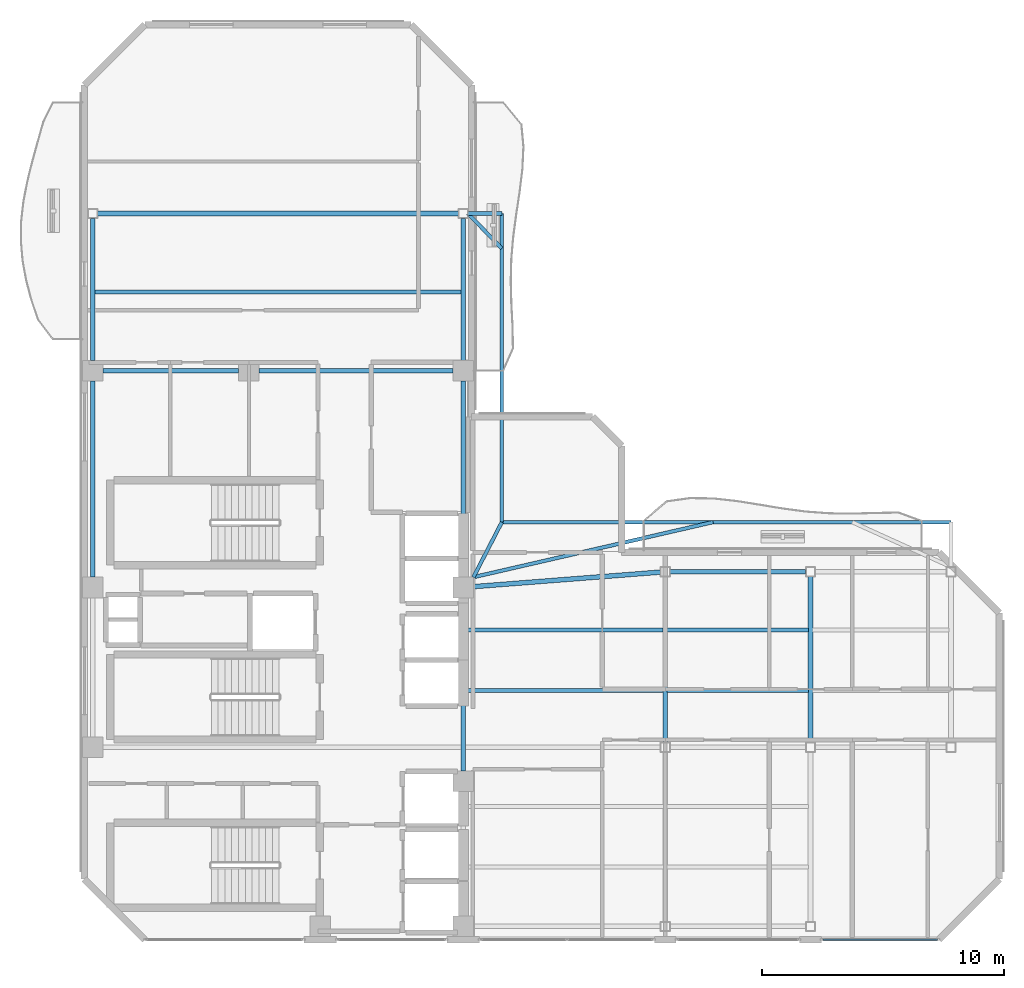
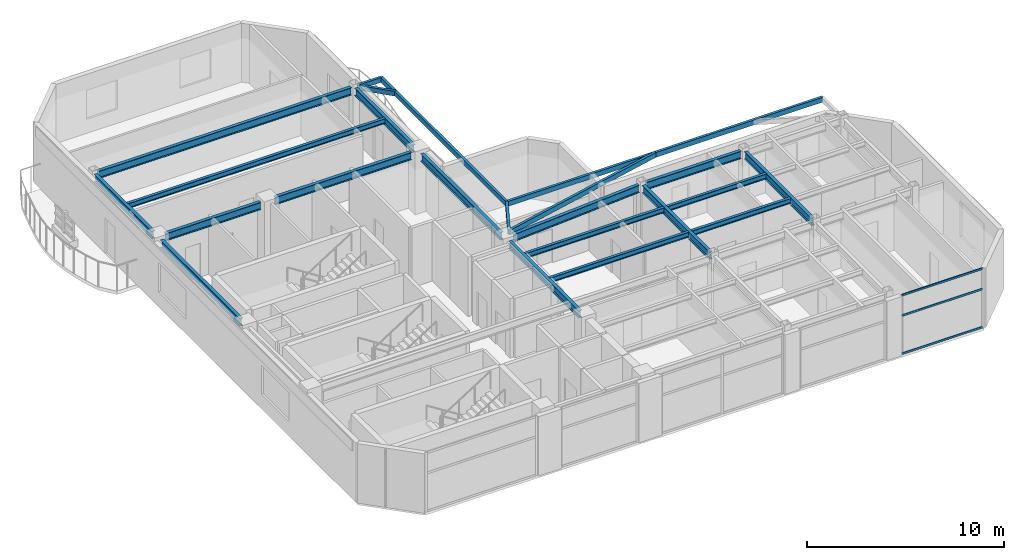
# One storey, part 6 of 15: 23 beams, 3 members, 1 element without a shape of its own.
"""IFC4 building model written with IfcOpenShell, lengths in metres."""

from ifc_helpers import new_model, si_unit, direction, frame, origin, origin_2d, place, context, subcontext, project, spatial, hollow_rectangle, i_section, extrude, material, layer, layer_set, material_profile, profile_set, type_object, element, aggregate, save


model = new_model("IFC4")

# Units and contexts
model_context = context("Model", 3, precision=1e-05, world=origin(), true_north=direction((0.0, 1.0)))
body_context = subcontext(model_context, "Body", "Model", "MODEL_VIEW")
ifc_project = project(units=[si_unit("LENGTHUNIT", "METRE"), si_unit("AREAUNIT", "SQUARE_METRE"), si_unit("VOLUMEUNIT", "CUBIC_METRE"), si_unit("PLANEANGLEUNIT", "RADIAN"), si_unit("MASSUNIT", "GRAM", prefix="KILO")], contexts=[model_context])

# Site, building, storey
site_placement = place(None, origin())
site = spatial("IfcSite", under=ifc_project, at=site_placement, CompositionType="ELEMENT")
building_placement = place(site_placement, origin())
building = spatial("IfcBuilding", under=site, at=building_placement, Name="Mawjaban Terraces University", CompositionType="ELEMENT")
storey_placement = place(building_placement, frame((0.0, 0.0, 279.39990234375)))
storey = spatial("IfcBuildingStorey", under=building, at=storey_placement, Name="L68", CompositionType="ELEMENT", Elevation=279.39990234375)

# Beams
ifc_material_1 = material(Name="Steel EN 10210-1 S355J2H", Category="steel")
ifc_material_profile_1 = material_profile(ifc_material_1, hollow_rectangle(XDim=0.14990234375, YDim=0.300048828125, WallThickness=0.012451171875, at=origin_2d()), Name="RHS300X150X12.5")
ifc_profile_set_1 = profile_set([ifc_material_profile_1], Name="Steel EN 10210-1 S355J2H")
beam_type_1 = type_object("IfcBeamType", Name="BalconyCantileverSpandrel_RHS", PredefinedType="SPANDREL", material=ifc_profile_set_1)
beam_1_placement = place(storey_placement, frame((38.074951171875, 14.97509765625, 3.5400390625), z_axis=(0.458922210771, 0.88847645127, 0.0), x_axis=(-0.88847645127, 0.458922210771, 0.0)))
element("IfcBeam", 1, at=beam_1_placement, inside=storey, type_object=beam_type_1, Name="L68 Corner Outrigger BAL-L69-N", PredefinedType="SPANDREL", context=body_context, shape_type="SweptSolid", body=[
    extrude(hollow_rectangle(XDim=0.14990234375, YDim=0.300048828125, WallThickness=0.012451171875, at=origin_2d()), origin(), (0.0, 0.0, 1.0), 2.560546875),
])
beam_2_placement = place(storey_placement, frame((39.25, 17.25, 3.5400390625), z_axis=(1.0, 0.0, 0.0), x_axis=(0.0, 1.0, 0.0)))
element("IfcBeam", 2, at=beam_2_placement, inside=storey, type_object=beam_type_1, Name="L68 Exterior Edge Spandrel BAL-L69-N", PredefinedType="SPANDREL", context=body_context, shape_type="SweptSolid", body=[
    extrude(hollow_rectangle(XDim=0.14990234375, YDim=0.300048828125, WallThickness=0.012451171875, at=origin_2d()), origin(), (0.0, 0.0, 1.0), 18.550048828125),
])
beam_3_placement = place(storey_placement, frame((38.074951171875, 14.97509765625, 3.5400390625), z_axis=(0.974600999447, 0.223948413426, 0.0), x_axis=(-0.223948413426, 0.974600999447, 0.0)))
element("IfcBeam", 3, at=beam_3_placement, inside=storey, type_object=beam_type_1, Name="L68 Exterior Diagonal Strut BAL-L69-N.1", PredefinedType="SPANDREL", context=body_context, shape_type="SweptSolid", body=[
    extrude(hollow_rectangle(XDim=0.14990234375, YDim=0.300048828125, WallThickness=0.012451171875, at=origin_2d()), origin(), (0.0, 0.0, 1.0), 10.158203125),
])
beam_4_placement = place(storey_placement, frame((37.85009765625, 30.0, 3.5400390625), z_axis=(1.0, 0.0, 0.0), x_axis=(0.0, 1.0, 0.0)))
element("IfcBeam", 4, at=beam_4_placement, inside=storey, type_object=beam_type_1, Name="L68 Exterior Outrigger BAL-L69-E.2", PredefinedType="SPANDREL", context=body_context, shape_type="SweptSolid", body=[
    extrude(hollow_rectangle(XDim=0.14990234375, YDim=0.300048828125, WallThickness=0.012451171875, at=origin_2d()), origin(), (0.0, 0.0, 1.0), 1.39990234375),
])
beam_5_placement = place(storey_placement, frame((39.25, 17.25, 3.5400390625), z_axis=(0.0, 1.0, 0.0), x_axis=(-1.0, 0.0, 0.0)))
element("IfcBeam", 5, at=beam_5_placement, inside=storey, type_object=beam_type_1, Name="L68 Exterior Edge Spandrel BAL-L69-E", PredefinedType="SPANDREL", context=body_context, shape_type="SweptSolid", body=[
    extrude(hollow_rectangle(XDim=0.14990234375, YDim=0.300048828125, WallThickness=0.012451171875, at=origin_2d()), origin(), (0.0, 0.0, 1.0), 12.75),
])
beam_6_placement = place(storey_placement, frame((37.85009765625, 30.0, 3.5400390625), z_axis=(0.694581542946, -0.719413983878, 0.0), x_axis=(0.719413983878, 0.694581542946, 0.0)))
element("IfcBeam", 6, at=beam_6_placement, inside=storey, type_object=beam_type_1, Name="L68 Exterior Diagonal Strut BAL-L69-E.1", PredefinedType="SPANDREL", context=body_context, shape_type="SweptSolid", body=[
    extrude(hollow_rectangle(XDim=0.14990234375, YDim=0.300048828125, WallThickness=0.012451171875, at=origin_2d()), origin(), (0.0, 0.0, 1.0), 2.015380859375),
])
ifc_material_2 = material(Name="Steel ASTM A572 Grade 50", Category="steel")
ifc_material_profile_2 = material_profile(ifc_material_2, i_section(OverallWidth=0.194091796875, OverallDepth=0.468994140625, WebThickness=0.011474609375, FlangeThickness=0.0205078125, at=origin_2d()), Name="W460X106")
ifc_profile_set_2 = profile_set([ifc_material_profile_2], Name="Steel ASTM A572 Grade 50")
beam_type_2 = type_object("IfcBeamType", Name="Beam_B_W460X106", PredefinedType="BEAM", material=ifc_profile_set_2)
for number, where, z_axis, x_axis, name in (
    (7, (46.199951171875, 15.199951171875, 3.455078125), (1.0, 0.0, 0.0), (0.0, 1.0, 0.0), "L68 Beam BM-L68-EW-06"),
    (8, (22.77490234375, 23.5, 3.455078125), (1.0, 0.0, 0.0), (0.0, 1.0, 0.0), "L68 Beam BM-L68-EW-08"),
):
    element("IfcBeam", number, at=place(storey_placement, frame(where, z_axis=z_axis, x_axis=x_axis)), inside=storey, type_object=beam_type_2, Name=name, PredefinedType="BEAM", context=body_context, shape_type="SweptSolid", body=[
        extrude(i_section(OverallWidth=0.194091796875, OverallDepth=0.468994140625, WebThickness=0.011474609375, FlangeThickness=0.0205078125, at=origin_2d()), origin(), (0.0, 0.0, 1.0), 5.60009765625),
    ])
beam_7_placement = place(storey_placement, frame((29.22509765625, 23.5, 3.455078125), z_axis=(1.0, 0.0, 0.0), x_axis=(0.0, 1.0, 0.0)))
element("IfcBeam", 9, at=beam_7_placement, inside=storey, type_object=beam_type_2, Name="L68 Beam BM-L68-EW-09", PredefinedType="BEAM", context=body_context, shape_type="SweptSolid", body=[
    extrude(i_section(OverallWidth=0.194091796875, OverallDepth=0.468994140625, WebThickness=0.011474609375, FlangeThickness=0.0205078125, at=origin_2d()), origin(), (0.0, 0.0, 1.0), 8.0),
])
beam_8_placement = place(storey_placement, frame((22.550048828125, 30.0, 3.455078125), z_axis=(1.0, 0.0, 0.0), x_axis=(0.0, 1.0, 0.0)))
element("IfcBeam", 10, at=beam_8_placement, inside=storey, type_object=beam_type_2, Name="L68 Beam BM-L68-EW-10", PredefinedType="BEAM", context=body_context, shape_type="SweptSolid", body=[
    extrude(i_section(OverallWidth=0.194091796875, OverallDepth=0.468994140625, WebThickness=0.011474609375, FlangeThickness=0.0205078125, at=origin_2d()), origin(), (0.0, 0.0, 1.0), 14.89990234375),
])
beam_9_placement = place(storey_placement, frame((22.35009765625, 14.97509765625, 3.455078125), z_axis=(0.0, 1.0, 0.0), x_axis=(-1.0, 0.0, 0.0)))
element("IfcBeam", 11, at=beam_9_placement, inside=storey, type_object=beam_type_2, Name="L68 Beam BM-L68-NS-02", PredefinedType="BEAM", context=body_context, shape_type="SweptSolid", body=[
    extrude(i_section(OverallWidth=0.194091796875, OverallDepth=0.468994140625, WebThickness=0.011474609375, FlangeThickness=0.0205078125, at=origin_2d()), origin(), (0.0, 0.0, 1.0), 8.099853515625),
])
beam_10_placement = place(storey_placement, frame((22.35009765625, 23.925048828125, 3.455078125), z_axis=(0.0, 1.0, 0.0), x_axis=(-1.0, 0.0, 0.0)))
element("IfcBeam", 12, at=beam_10_placement, inside=storey, type_object=beam_type_2, Name="L68 Beam BM-L68-NS-03", PredefinedType="BEAM", context=body_context, shape_type="SweptSolid", body=[
    extrude(i_section(OverallWidth=0.194091796875, OverallDepth=0.468994140625, WebThickness=0.011474609375, FlangeThickness=0.0205078125, at=origin_2d()), origin(), (0.0, 0.0, 1.0), 5.875),
])
beam_11_placement = place(storey_placement, frame((37.64990234375, 6.97509765625, 3.455078125), z_axis=(0.0, 1.0, 0.0), x_axis=(-1.0, 0.0, 0.0)))
element("IfcBeam", 13, at=beam_11_placement, inside=storey, type_object=beam_type_2, Name="L68 Beam BM-L68-NS-05", PredefinedType="BEAM", context=body_context, shape_type="SweptSolid", body=[
    extrude(i_section(OverallWidth=0.194091796875, OverallDepth=0.468994140625, WebThickness=0.011474609375, FlangeThickness=0.0205078125, at=origin_2d()), origin(), (0.0, 0.0, 1.0), 7.14990234375),
])
beam_12_placement = place(storey_placement, frame((37.64990234375, 14.97509765625, 3.455078125), z_axis=(0.0, 1.0, 0.0), x_axis=(-1.0, 0.0, 0.0)))
element("IfcBeam", 14, at=beam_12_placement, inside=storey, type_object=beam_type_2, Name="L68 Beam BM-L68-NS-06", PredefinedType="BEAM", context=body_context, shape_type="SweptSolid", body=[
    extrude(i_section(OverallWidth=0.194091796875, OverallDepth=0.468994140625, WebThickness=0.011474609375, FlangeThickness=0.0205078125, at=origin_2d()), origin(), (0.0, 0.0, 1.0), 8.099853515625),
])
beam_13_placement = place(storey_placement, frame((37.64990234375, 23.925048828125, 3.455078125), z_axis=(0.0, 1.0, 0.0), x_axis=(-1.0, 0.0, 0.0)))
element("IfcBeam", 15, at=beam_13_placement, inside=storey, type_object=beam_type_2, Name="L68 Beam BM-L68-NS-07", PredefinedType="BEAM", context=body_context, shape_type="SweptSolid", body=[
    extrude(i_section(OverallWidth=0.194091796875, OverallDepth=0.468994140625, WebThickness=0.011474609375, FlangeThickness=0.0205078125, at=origin_2d()), origin(), (0.0, 0.0, 1.0), 5.875),
])
for number, where, z_axis, x_axis, name in (
    (16, (46.0, 8.14990234375, 3.455078125), (0.0, 1.0, 0.0), (-1.0, 0.0, 0.0), "L68 Beam BM-L68-NS-09"),
    (17, (52.0, 8.14990234375, 3.455078125), (0.0, 1.0, 0.0), (-1.0, 0.0, 0.0), "L68 Beam BM-L68-NS-11"),
):
    element("IfcBeam", number, at=place(storey_placement, frame(where, z_axis=z_axis, x_axis=x_axis)), inside=storey, type_object=beam_type_2, Name=name, PredefinedType="BEAM", context=body_context, shape_type="SweptSolid", body=[
        extrude(i_section(OverallWidth=0.194091796875, OverallDepth=0.468994140625, WebThickness=0.011474609375, FlangeThickness=0.0205078125, at=origin_2d()), origin(), (0.0, 0.0, 1.0), 6.85009765625),
    ])
beam_14_placement = place(storey_placement, frame((38.073974609375, 14.5830078125, 3.455078125), z_axis=(0.996988151141, 0.077554023005, 0.0), x_axis=(-0.077554023005, 0.996988151141, 0.0)))
element("IfcBeam", 18, at=beam_14_placement, inside=storey, type_object=beam_type_2, Name="L68 Beam BM-L68-CTIE", PredefinedType="BEAM", context=body_context, shape_type="SweptSolid", body=[
    extrude(i_section(OverallWidth=0.194091796875, OverallDepth=0.468994140625, WebThickness=0.011474609375, FlangeThickness=0.0205078125, at=origin_2d()), origin(), (0.0, 0.0, 1.0), 7.75048828125),
])
ifc_material_profile_3 = material_profile(ifc_material_2, i_section(OverallWidth=0.1669921875, OverallDepth=0.318115234375, WebThickness=0.007568359375, FlangeThickness=0.01318359375, at=origin_2d()), Name="W310X52")
ifc_profile_set_3 = profile_set([ifc_material_profile_3], Name="Steel ASTM A572 Grade 50")
beam_type_3 = type_object("IfcBeamType", Name="Beam_J_W310X52", PredefinedType="JOIST", material=ifc_profile_set_3)
beam_15_placement = place(storey_placement, frame((37.72998046875, 10.300048828125, 3.531005859375), z_axis=(1.0, 0.0, 0.0), x_axis=(0.0, 1.0, 0.0)))
element("IfcBeam", 19, at=beam_15_placement, inside=storey, type_object=beam_type_3, Name="L68 Composite Joist JST-L68-05", PredefinedType="JOIST", context=body_context, shape_type="SweptSolid", body=[
    extrude(i_section(OverallWidth=0.1669921875, OverallDepth=0.318115234375, WebThickness=0.007568359375, FlangeThickness=0.01318359375, at=origin_2d()), origin(), (0.0, 0.0, 1.0), 8.18994140625),
])
beam_16_placement = place(storey_placement, frame((46.080078125, 10.300048828125, 3.531005859375), z_axis=(1.0, 0.0, 0.0), x_axis=(0.0, 1.0, 0.0)))
element("IfcBeam", 20, at=beam_16_placement, inside=storey, type_object=beam_type_3, Name="L68 Composite Joist JST-L68-06", PredefinedType="JOIST", context=body_context, shape_type="SweptSolid", body=[
    extrude(i_section(OverallWidth=0.1669921875, OverallDepth=0.318115234375, WebThickness=0.007568359375, FlangeThickness=0.01318359375, at=origin_2d()), origin(), (0.0, 0.0, 1.0), 5.83984375),
])
beam_17_placement = place(storey_placement, frame((37.72998046875, 12.800048828125, 3.531005859375), z_axis=(1.0, 0.0, 0.0), x_axis=(0.0, 1.0, 0.0)))
element("IfcBeam", 21, at=beam_17_placement, inside=storey, type_object=beam_type_3, Name="L68 Composite Joist JST-L68-08", PredefinedType="JOIST", context=body_context, shape_type="SweptSolid", body=[
    extrude(i_section(OverallWidth=0.1669921875, OverallDepth=0.318115234375, WebThickness=0.007568359375, FlangeThickness=0.01318359375, at=origin_2d()), origin(), (0.0, 0.0, 1.0), 8.18994140625),
])
beam_18_placement = place(storey_placement, frame((46.080078125, 12.800048828125, 3.531005859375), z_axis=(1.0, 0.0, 0.0), x_axis=(0.0, 1.0, 0.0)))
element("IfcBeam", 22, at=beam_18_placement, inside=storey, type_object=beam_type_3, Name="L68 Composite Joist JST-L68-09", PredefinedType="JOIST", context=body_context, shape_type="SweptSolid", body=[
    extrude(i_section(OverallWidth=0.1669921875, OverallDepth=0.318115234375, WebThickness=0.007568359375, FlangeThickness=0.01318359375, at=origin_2d()), origin(), (0.0, 0.0, 1.0), 5.83984375),
])
beam_19_placement = place(storey_placement, frame((22.429931640625, 26.75, 3.531005859375), z_axis=(1.0, 0.0, 0.0), x_axis=(0.0, 1.0, 0.0)))
element("IfcBeam", 23, at=beam_19_placement, inside=storey, type_object=beam_type_3, Name="L68 Composite Joist JST-L68-11", PredefinedType="JOIST", context=body_context, shape_type="SweptSolid", body=[
    extrude(i_section(OverallWidth=0.1669921875, OverallDepth=0.318115234375, WebThickness=0.007568359375, FlangeThickness=0.01318359375, at=origin_2d()), origin(), (0.0, 0.0, 1.0), 15.14013671875),
])

# Curtain wall, members
ifc_material_3 = material(Name="Anodised aluminium 6063-T6 and solar-control low-E glass", Category="aluminium")
ifc_layer = layer(ifc_material_3, 0.159912109375)
ifc_layer_set = layer_set([ifc_layer], Name="Anodised aluminium 6063-T6 and solar-control low-E glass")
curtain_wall_type = type_object("IfcCurtainWallType", Name="CWSystem_03_NorthWing", PredefinedType="NOTDEFINED", material=ifc_layer_set)
curtain_wall_placement = place(storey_placement, origin())
curtain_wall = element("IfcCurtainWall", 24, at=curtain_wall_placement, inside=storey, type_object=curtain_wall_type, Name="L68 Curtain Wall CW-03 Run 1.5", PredefinedType="NOTDEFINED")
ifc_material_4 = material(Name="Anodised aluminium 6063-T6", Category="aluminium")
ifc_material_profile_4 = material_profile(ifc_material_4, hollow_rectangle(XDim=0.06005859375, YDim=0.1201171875, WallThickness=0.00341796875, at=origin_2d()), Name="ALU120X60X3.5")
ifc_profile_set_4 = profile_set([ifc_material_profile_4], Name="Anodised aluminium 6063-T6")
member_type = type_object("IfcMemberType", Name="Transom_CW-03", PredefinedType="NOTDEFINED", material=ifc_profile_set_4)
member_1_placement = place(storey_placement, frame((52.514892578125, 0.0, 0.030029296875), z_axis=(1.0, 0.0, 0.0), x_axis=(0.0, 1.0, 0.0)))
member_1 = element("IfcMember", 25, at=member_1_placement, type_object=member_type, Name="CW-03 transom 1.1", ObjectType="TRANSOM", PredefinedType="USERDEFINED", context=body_context, shape_type="SweptSolid", body=[
    extrude(hollow_rectangle(XDim=0.06005859375, YDim=0.1201171875, WallThickness=0.00341796875, at=origin_2d()), origin(), (0.0, 0.0, 1.0), 4.72021484375),
])
member_2_placement = place(storey_placement, frame((52.514892578125, 0.0, 2.398193359375), z_axis=(1.0, 0.0, 0.0), x_axis=(0.0, 1.0, 0.0)))
member_2 = element("IfcMember", 26, at=member_2_placement, type_object=member_type, Name="CW-03 transom 1.2", ObjectType="TRANSOM", PredefinedType="USERDEFINED", context=body_context, shape_type="SweptSolid", body=[
    extrude(hollow_rectangle(XDim=0.06005859375, YDim=0.1201171875, WallThickness=0.00341796875, at=origin_2d()), origin(), (0.0, 0.0, 1.0), 4.72021484375),
])
member_3_placement = place(storey_placement, frame((52.514892578125, 0.0, 3.66015625), z_axis=(1.0, 0.0, 0.0), x_axis=(0.0, 1.0, 0.0)))
member_3 = element("IfcMember", 27, at=member_3_placement, type_object=member_type, Name="CW-03 transom 1.3", ObjectType="TRANSOM", PredefinedType="USERDEFINED", context=body_context, shape_type="SweptSolid", body=[
    extrude(hollow_rectangle(XDim=0.06005859375, YDim=0.1201171875, WallThickness=0.00341796875, at=origin_2d()), origin(), (0.0, 0.0, 1.0), 4.72021484375),
])
aggregate(curtain_wall, [member_1, member_2, member_3])

save(model, "model.ifc")
